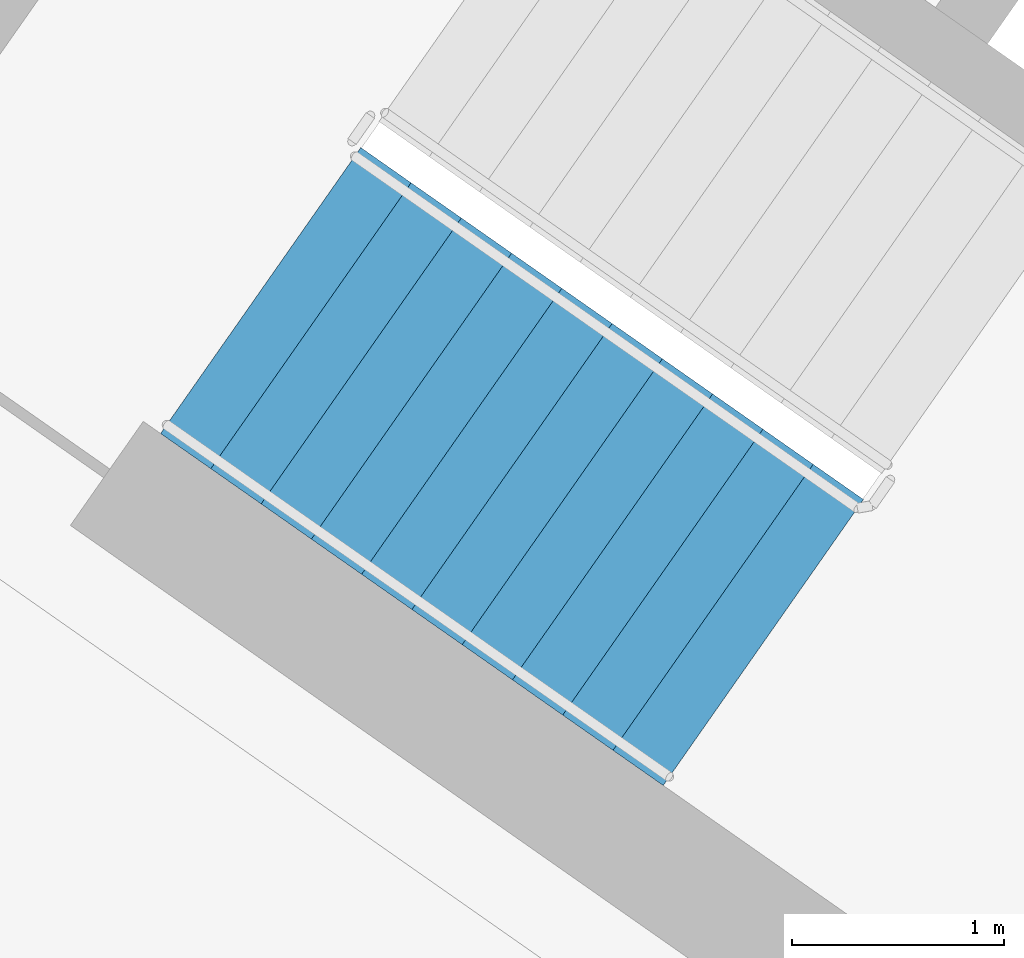
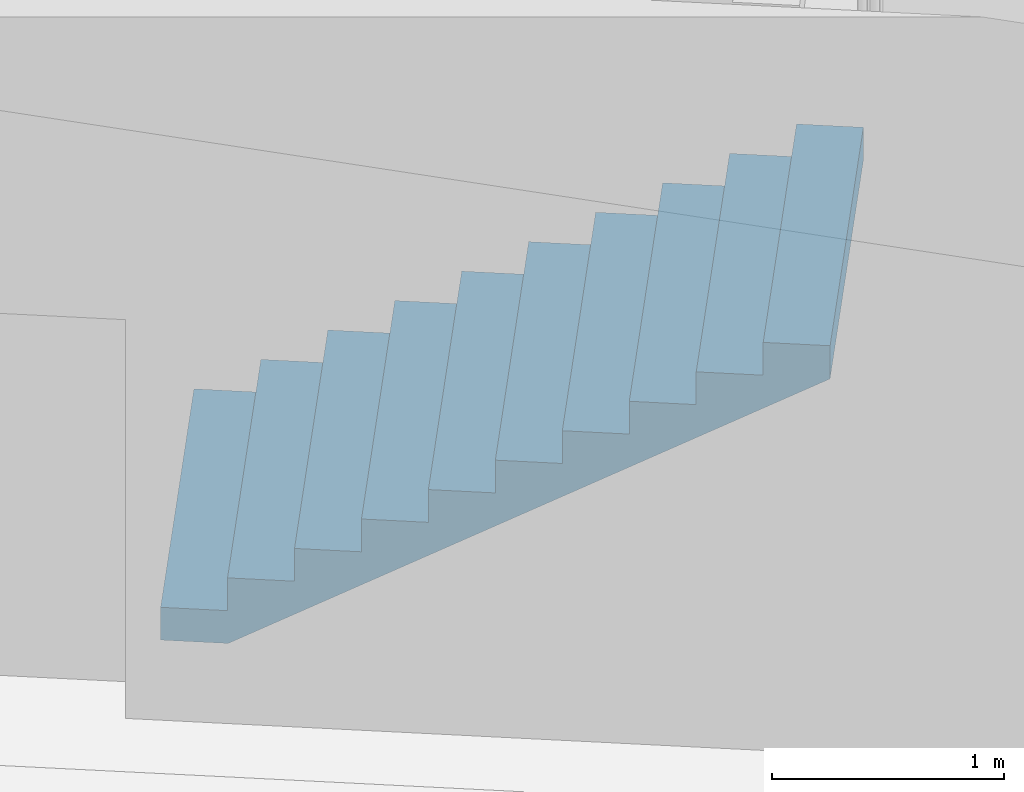
# One storey, part 10 of 28: 1 stair flight, 1 element without a shape of its own.
"""IFC4 building model written with IfcOpenShell, lengths in metres."""

from ifc_helpers import new_model, si_unit, direction, frame, origin, place, context, subcontext, project, spatial, faceted_brep, material, type_object, element, aggregate, save


model = new_model("IFC4")

# Units and contexts
model_context = context("Model", 3, precision=1e-05, world=origin(), true_north=direction((0.0, 1.0)))
body_context = subcontext(model_context, "Body", "Model", "MODEL_VIEW")
ifc_project = project(units=[si_unit("LENGTHUNIT", "METRE"), si_unit("AREAUNIT", "SQUARE_METRE"), si_unit("VOLUMEUNIT", "CUBIC_METRE"), si_unit("PLANEANGLEUNIT", "RADIAN"), si_unit("MASSUNIT", "GRAM", prefix="KILO")], contexts=[model_context])

# Site, building, storey
site_placement = place(None, origin())
site = spatial("IfcSite", under=ifc_project, at=site_placement, CompositionType="ELEMENT")
building_placement = place(site_placement, origin())
building = spatial("IfcBuilding", under=site, at=building_placement, Name="Qamariyya Broadcast Tower", CompositionType="ELEMENT")
storey_placement = place(building_placement, frame((0.0, 0.0, 218.89990234375)))
storey = spatial("IfcBuildingStorey", under=building, at=storey_placement, Name="L52", CompositionType="ELEMENT", Elevation=218.89990234375)

# Stair, stair flight
ifc_material = material(Name="Concrete C50/60", Category="concrete")
stair_type = type_object("IfcStairType", Name="Exit stair 22 risers of 173 mm", PredefinedType="HALF_TURN_STAIR", material=ifc_material)
stair_placement = place(storey_placement, origin())
stair = element("IfcStair", 1, at=stair_placement, inside=storey, type_object=stair_type, Name="L52 Stair W1", PredefinedType="HALF_TURN_STAIR")
stair_flight_type = type_object("IfcStairFlightType", Name="Exit stair flight 11 risers of 173 mm", PredefinedType="STRAIGHT", material=ifc_material)
stair_flight_placement = place(storey_placement, frame((-47.06884765625, -56.982666015625, 0.0), z_axis=(0.0, 0.0, 1.0), x_axis=(0.819152044289, -0.573576436351, 0.0)))
stair_flight = element("IfcStairFlight", 2, at=stair_flight_placement, type_object=stair_flight_type, Name="ST-W1 flight 1", NumberOfRisers=11, NumberOfTreads=10, PredefinedType="STRAIGHT", RiserHeight=0.172727273, TreadLength=0.29, context=body_context, shape_type="Brep", body=[
    faceted_brep([(0.0, 0.824951171875, 0.0), (0.0, 0.824951171875, 0.172607421875), (0.2900390625, 0.824951171875, 0.172607421875), (0.2900390625, 0.824951171875, 0.345458984375), (0.580078125, 0.824951171875, 0.345458984375), (0.580078125, 0.824951171875, 0.51806640625), (0.8701171875, 0.824951171875, 0.51806640625), (0.8701171875, 0.824951171875, 0.69091796875), (1.159912109375, 0.824951171875, 0.69091796875), (1.159912109375, 0.824951171875, 0.863525390625), (1.449951171875, 0.824951171875, 0.863525390625), (1.449951171875, 0.824951171875, 1.036376953125), (1.739990234375, 0.824951171875, 1.036376953125), (1.739990234375, 0.824951171875, 1.208984375), (2.030029296875, 0.824951171875, 1.208984375), (2.030029296875, 0.824951171875, 1.3818359375), (2.320068359375, 0.824951171875, 1.3818359375), (2.320068359375, 0.824951171875, 1.554443359375), (2.610107421875, 0.824951171875, 1.554443359375), (2.610107421875, 0.824951171875, 1.727294921875), (2.89990234375, 0.824951171875, 1.727294921875), (2.89990234375, 0.824951171875, 1.552734375), (0.29296875, 0.824951171875, 0.0), (0.29296875, -0.824951171875, 0.0), (2.89990234375, -0.824951171875, 1.552734375), (2.89990234375, -0.824951171875, 1.727294921875), (2.610107421875, -0.824951171875, 1.727294921875), (2.610107421875, -0.824951171875, 1.554443359375), (2.320068359375, -0.824951171875, 1.554443359375), (2.320068359375, -0.824951171875, 1.3818359375), (2.030029296875, -0.824951171875, 1.3818359375), (2.030029296875, -0.824951171875, 1.208984375), (1.739990234375, -0.824951171875, 1.208984375), (1.739990234375, -0.824951171875, 1.036376953125), (1.449951171875, -0.824951171875, 1.036376953125), (1.449951171875, -0.824951171875, 0.863525390625), (1.159912109375, -0.824951171875, 0.863525390625), (1.159912109375, -0.824951171875, 0.69091796875), (0.8701171875, -0.824951171875, 0.69091796875), (0.8701171875, -0.824951171875, 0.51806640625), (0.580078125, -0.824951171875, 0.51806640625), (0.580078125, -0.824951171875, 0.345458984375), (0.2900390625, -0.824951171875, 0.345458984375), (0.2900390625, -0.824951171875, 0.172607421875), (0.0, -0.824951171875, 0.172607421875), (0.0, -0.824951171875, 0.0), (0.0, 0.10009765625, 0.0), (0.0, 0.086669921875, 0.0), (0.0, 0.0732421875, 0.0), (0.0, 0.06005859375, 0.0), (0.0, 0.046630859375, 0.0), (0.0, 0.033447265625, 0.0), (0.0, 0.02001953125, 0.0), (0.0, 0.006591796875, 0.0), (0.0, -0.006591796875, 0.0), (0.0, -0.02001953125, 0.0), (0.0, -0.033447265625, 0.0), (0.0, -0.046630859375, 0.0), (0.0, -0.06005859375, 0.0), (0.0, -0.0732421875, 0.0), (0.0, -0.086669921875, 0.0), (0.0, -0.10009765625, 0.0), (0.0, -0.10009765625, 0.172607421875), (0.0, -0.086669921875, 0.172607421875), (0.0, -0.0732421875, 0.172607421875), (0.0, -0.06005859375, 0.172607421875), (0.0, -0.046630859375, 0.172607421875), (0.0, -0.033447265625, 0.172607421875), (0.0, -0.02001953125, 0.172607421875), (0.0, -0.006591796875, 0.172607421875), (0.0, 0.006591796875, 0.172607421875), (0.0, 0.02001953125, 0.172607421875), (0.0, 0.033447265625, 0.172607421875), (0.0, 0.046630859375, 0.172607421875), (0.0, 0.06005859375, 0.172607421875), (0.0, 0.0732421875, 0.172607421875), (0.0, 0.086669921875, 0.172607421875), (0.0, 0.10009765625, 0.172607421875), (0.2900390625, -0.10009765625, 0.172607421875), (0.2900390625, -0.086669921875, 0.172607421875), (0.2900390625, -0.0732421875, 0.172607421875), (0.2900390625, -0.06005859375, 0.172607421875), (0.2900390625, -0.046630859375, 0.172607421875), (0.2900390625, -0.033447265625, 0.172607421875), (0.2900390625, -0.02001953125, 0.172607421875), (0.2900390625, -0.006591796875, 0.172607421875), (0.2900390625, 0.006591796875, 0.172607421875), (0.2900390625, 0.02001953125, 0.172607421875), (0.2900390625, 0.033447265625, 0.172607421875), (0.2900390625, 0.046630859375, 0.172607421875), (0.2900390625, 0.06005859375, 0.172607421875), (0.2900390625, 0.0732421875, 0.172607421875), (0.2900390625, 0.086669921875, 0.172607421875), (0.2900390625, 0.10009765625, 0.172607421875), (0.2900390625, -0.10009765625, 0.345458984375), (0.2900390625, -0.086669921875, 0.345458984375), (0.2900390625, -0.0732421875, 0.345458984375), (0.2900390625, -0.06005859375, 0.345458984375), (0.2900390625, -0.046630859375, 0.345458984375), (0.2900390625, -0.033447265625, 0.345458984375), (0.2900390625, -0.02001953125, 0.345458984375), (0.2900390625, -0.006591796875, 0.345458984375), (0.2900390625, 0.006591796875, 0.345458984375), (0.2900390625, 0.02001953125, 0.345458984375), (0.2900390625, 0.033447265625, 0.345458984375), (0.2900390625, 0.046630859375, 0.345458984375), (0.2900390625, 0.06005859375, 0.345458984375), (0.2900390625, 0.0732421875, 0.345458984375), (0.2900390625, 0.086669921875, 0.345458984375), (0.2900390625, 0.10009765625, 0.345458984375), (0.580078125, -0.10009765625, 0.345458984375), (0.580078125, -0.086669921875, 0.345458984375), (0.580078125, -0.0732421875, 0.345458984375), (0.580078125, -0.06005859375, 0.345458984375), (0.580078125, -0.046630859375, 0.345458984375), (0.580078125, -0.033447265625, 0.345458984375), (0.580078125, -0.02001953125, 0.345458984375), (0.580078125, -0.006591796875, 0.345458984375), (0.580078125, 0.006591796875, 0.345458984375), (0.580078125, 0.02001953125, 0.345458984375), (0.580078125, 0.033447265625, 0.345458984375), (0.580078125, 0.046630859375, 0.345458984375), (0.580078125, 0.06005859375, 0.345458984375), (0.580078125, 0.0732421875, 0.345458984375), (0.580078125, 0.086669921875, 0.345458984375), (0.580078125, 0.10009765625, 0.345458984375), (0.580078125, -0.10009765625, 0.51806640625), (0.580078125, -0.086669921875, 0.51806640625), (0.580078125, -0.0732421875, 0.51806640625), (0.580078125, -0.06005859375, 0.51806640625), (0.580078125, -0.046630859375, 0.51806640625), (0.580078125, -0.033447265625, 0.51806640625), (0.580078125, -0.02001953125, 0.51806640625), (0.580078125, -0.006591796875, 0.51806640625), (0.580078125, 0.006591796875, 0.51806640625), (0.580078125, 0.02001953125, 0.51806640625), (0.580078125, 0.033447265625, 0.51806640625), (0.580078125, 0.046630859375, 0.51806640625), (0.580078125, 0.06005859375, 0.51806640625), (0.580078125, 0.0732421875, 0.51806640625), (0.580078125, 0.086669921875, 0.51806640625), (0.580078125, 0.10009765625, 0.51806640625), (0.8701171875, -0.10009765625, 0.51806640625), (0.8701171875, -0.086669921875, 0.51806640625), (0.8701171875, -0.0732421875, 0.51806640625), (0.8701171875, -0.06005859375, 0.51806640625), (0.8701171875, -0.046630859375, 0.51806640625), (0.8701171875, -0.033447265625, 0.51806640625), (0.8701171875, -0.02001953125, 0.51806640625), (0.8701171875, -0.006591796875, 0.51806640625), (0.8701171875, 0.006591796875, 0.51806640625), (0.8701171875, 0.02001953125, 0.51806640625), (0.8701171875, 0.033447265625, 0.51806640625), (0.8701171875, 0.046630859375, 0.51806640625), (0.8701171875, 0.06005859375, 0.51806640625), (0.8701171875, 0.0732421875, 0.51806640625), (0.8701171875, 0.086669921875, 0.51806640625), (0.8701171875, 0.10009765625, 0.51806640625), (0.8701171875, -0.10009765625, 0.69091796875), (0.8701171875, -0.086669921875, 0.69091796875), (0.8701171875, -0.0732421875, 0.69091796875), (0.8701171875, -0.06005859375, 0.69091796875), (0.8701171875, -0.046630859375, 0.69091796875), (0.8701171875, -0.033447265625, 0.69091796875), (0.8701171875, -0.02001953125, 0.69091796875), (0.8701171875, -0.006591796875, 0.69091796875), (0.8701171875, 0.006591796875, 0.69091796875), (0.8701171875, 0.02001953125, 0.69091796875), (0.8701171875, 0.033447265625, 0.69091796875), (0.8701171875, 0.046630859375, 0.69091796875), (0.8701171875, 0.06005859375, 0.69091796875), (0.8701171875, 0.0732421875, 0.69091796875), (0.8701171875, 0.086669921875, 0.69091796875), (0.8701171875, 0.10009765625, 0.69091796875), (1.159912109375, -0.10009765625, 0.69091796875), (1.159912109375, -0.086669921875, 0.69091796875), (1.159912109375, -0.0732421875, 0.69091796875), (1.159912109375, -0.06005859375, 0.69091796875), (1.159912109375, -0.046630859375, 0.69091796875), (1.159912109375, -0.033447265625, 0.69091796875), (1.159912109375, -0.02001953125, 0.69091796875), (1.159912109375, -0.006591796875, 0.69091796875), (1.159912109375, 0.006591796875, 0.69091796875), (1.159912109375, 0.02001953125, 0.69091796875), (1.159912109375, 0.033447265625, 0.69091796875), (1.159912109375, 0.046630859375, 0.69091796875), (1.159912109375, 0.06005859375, 0.69091796875), (1.159912109375, 0.0732421875, 0.69091796875), (1.159912109375, 0.086669921875, 0.69091796875), (1.159912109375, 0.10009765625, 0.69091796875), (1.159912109375, -0.10009765625, 0.863525390625), (1.159912109375, -0.086669921875, 0.863525390625), (1.159912109375, -0.0732421875, 0.863525390625), (1.159912109375, -0.06005859375, 0.863525390625), (1.159912109375, -0.046630859375, 0.863525390625), (1.159912109375, -0.033447265625, 0.863525390625), (1.159912109375, -0.02001953125, 0.863525390625), (1.159912109375, -0.006591796875, 0.863525390625), (1.159912109375, 0.006591796875, 0.863525390625), (1.159912109375, 0.02001953125, 0.863525390625), (1.159912109375, 0.033447265625, 0.863525390625), (1.159912109375, 0.046630859375, 0.863525390625), (1.159912109375, 0.06005859375, 0.863525390625), (1.159912109375, 0.0732421875, 0.863525390625), (1.159912109375, 0.086669921875, 0.863525390625), (1.159912109375, 0.10009765625, 0.863525390625), (1.449951171875, -0.10009765625, 0.863525390625), (1.449951171875, -0.086669921875, 0.863525390625), (1.449951171875, -0.0732421875, 0.863525390625), (1.449951171875, -0.06005859375, 0.863525390625), (1.449951171875, -0.046630859375, 0.863525390625), (1.449951171875, -0.033447265625, 0.863525390625), (1.449951171875, -0.02001953125, 0.863525390625), (1.449951171875, -0.006591796875, 0.863525390625), (1.449951171875, 0.006591796875, 0.863525390625), (1.449951171875, 0.02001953125, 0.863525390625), (1.449951171875, 0.033447265625, 0.863525390625), (1.449951171875, 0.046630859375, 0.863525390625), (1.449951171875, 0.06005859375, 0.863525390625), (1.449951171875, 0.0732421875, 0.863525390625), (1.449951171875, 0.086669921875, 0.863525390625), (1.449951171875, 0.10009765625, 0.863525390625), (1.449951171875, -0.10009765625, 1.036376953125), (1.449951171875, -0.086669921875, 1.036376953125), (1.449951171875, -0.0732421875, 1.036376953125), (1.449951171875, -0.06005859375, 1.036376953125), (1.449951171875, -0.046630859375, 1.036376953125), (1.449951171875, -0.033447265625, 1.036376953125), (1.449951171875, -0.02001953125, 1.036376953125), (1.449951171875, -0.006591796875, 1.036376953125), (1.449951171875, 0.006591796875, 1.036376953125), (1.449951171875, 0.02001953125, 1.036376953125), (1.449951171875, 0.033447265625, 1.036376953125), (1.449951171875, 0.046630859375, 1.036376953125), (1.449951171875, 0.06005859375, 1.036376953125), (1.449951171875, 0.0732421875, 1.036376953125), (1.449951171875, 0.086669921875, 1.036376953125), (1.449951171875, 0.10009765625, 1.036376953125), (1.739990234375, -0.10009765625, 1.036376953125), (1.739990234375, -0.086669921875, 1.036376953125), (1.739990234375, -0.0732421875, 1.036376953125), (1.739990234375, -0.06005859375, 1.036376953125), (1.739990234375, -0.046630859375, 1.036376953125), (1.739990234375, -0.033447265625, 1.036376953125), (1.739990234375, -0.02001953125, 1.036376953125), (1.739990234375, -0.006591796875, 1.036376953125), (1.739990234375, 0.006591796875, 1.036376953125), (1.739990234375, 0.02001953125, 1.036376953125), (1.739990234375, 0.033447265625, 1.036376953125), (1.739990234375, 0.046630859375, 1.036376953125), (1.739990234375, 0.06005859375, 1.036376953125), (1.739990234375, 0.0732421875, 1.036376953125), (1.739990234375, 0.086669921875, 1.036376953125), (1.739990234375, 0.10009765625, 1.036376953125), (1.739990234375, -0.10009765625, 1.208984375), (1.739990234375, -0.086669921875, 1.208984375), (1.739990234375, -0.0732421875, 1.208984375), (1.739990234375, -0.06005859375, 1.208984375), (1.739990234375, -0.046630859375, 1.208984375), (1.739990234375, -0.033447265625, 1.208984375), (1.739990234375, -0.02001953125, 1.208984375), (1.739990234375, -0.006591796875, 1.208984375), (1.739990234375, 0.006591796875, 1.208984375), (1.739990234375, 0.02001953125, 1.208984375), (1.739990234375, 0.033447265625, 1.208984375), (1.739990234375, 0.046630859375, 1.208984375), (1.739990234375, 0.06005859375, 1.208984375), (1.739990234375, 0.0732421875, 1.208984375), (1.739990234375, 0.086669921875, 1.208984375), (1.739990234375, 0.10009765625, 1.208984375), (2.030029296875, -0.10009765625, 1.208984375), (2.030029296875, -0.086669921875, 1.208984375), (2.030029296875, -0.0732421875, 1.208984375), (2.030029296875, -0.06005859375, 1.208984375), (2.030029296875, -0.046630859375, 1.208984375), (2.030029296875, -0.033447265625, 1.208984375), (2.030029296875, -0.02001953125, 1.208984375), (2.030029296875, -0.006591796875, 1.208984375), (2.030029296875, 0.006591796875, 1.208984375), (2.030029296875, 0.02001953125, 1.208984375), (2.030029296875, 0.033447265625, 1.208984375), (2.030029296875, 0.046630859375, 1.208984375), (2.030029296875, 0.06005859375, 1.208984375), (2.030029296875, 0.0732421875, 1.208984375), (2.030029296875, 0.086669921875, 1.208984375), (2.030029296875, 0.10009765625, 1.208984375), (2.030029296875, -0.10009765625, 1.3818359375), (2.030029296875, -0.086669921875, 1.3818359375), (2.030029296875, -0.0732421875, 1.3818359375), (2.030029296875, -0.06005859375, 1.3818359375), (2.030029296875, -0.046630859375, 1.3818359375), (2.030029296875, -0.033447265625, 1.3818359375), (2.030029296875, -0.02001953125, 1.3818359375), (2.030029296875, -0.006591796875, 1.3818359375), (2.030029296875, 0.006591796875, 1.3818359375), (2.030029296875, 0.02001953125, 1.3818359375), (2.030029296875, 0.033447265625, 1.3818359375), (2.030029296875, 0.046630859375, 1.3818359375), (2.030029296875, 0.06005859375, 1.3818359375), (2.030029296875, 0.0732421875, 1.3818359375), (2.030029296875, 0.086669921875, 1.3818359375), (2.030029296875, 0.10009765625, 1.3818359375), (2.320068359375, -0.10009765625, 1.3818359375), (2.320068359375, -0.086669921875, 1.3818359375), (2.320068359375, -0.0732421875, 1.3818359375), (2.320068359375, -0.06005859375, 1.3818359375), (2.320068359375, -0.046630859375, 1.3818359375), (2.320068359375, -0.033447265625, 1.3818359375), (2.320068359375, -0.02001953125, 1.3818359375), (2.320068359375, -0.006591796875, 1.3818359375), (2.320068359375, 0.006591796875, 1.3818359375), (2.320068359375, 0.02001953125, 1.3818359375), (2.320068359375, 0.033447265625, 1.3818359375), (2.320068359375, 0.046630859375, 1.3818359375), (2.320068359375, 0.06005859375, 1.3818359375), (2.320068359375, 0.0732421875, 1.3818359375), (2.320068359375, 0.086669921875, 1.3818359375), (2.320068359375, 0.10009765625, 1.3818359375), (2.320068359375, -0.10009765625, 1.554443359375), (2.320068359375, -0.086669921875, 1.554443359375), (2.320068359375, -0.0732421875, 1.554443359375), (2.320068359375, -0.06005859375, 1.554443359375), (2.320068359375, -0.046630859375, 1.554443359375), (2.320068359375, -0.033447265625, 1.554443359375), (2.320068359375, -0.02001953125, 1.554443359375), (2.320068359375, -0.006591796875, 1.554443359375), (2.320068359375, 0.006591796875, 1.554443359375), (2.320068359375, 0.02001953125, 1.554443359375), (2.320068359375, 0.033447265625, 1.554443359375), (2.320068359375, 0.046630859375, 1.554443359375), (2.320068359375, 0.06005859375, 1.554443359375), (2.320068359375, 0.0732421875, 1.554443359375), (2.320068359375, 0.086669921875, 1.554443359375), (2.320068359375, 0.10009765625, 1.554443359375), (2.610107421875, -0.10009765625, 1.554443359375), (2.610107421875, -0.086669921875, 1.554443359375), (2.610107421875, -0.0732421875, 1.554443359375), (2.610107421875, -0.06005859375, 1.554443359375), (2.610107421875, -0.046630859375, 1.554443359375), (2.610107421875, -0.033447265625, 1.554443359375), (2.610107421875, -0.02001953125, 1.554443359375), (2.610107421875, -0.006591796875, 1.554443359375), (2.610107421875, 0.006591796875, 1.554443359375), (2.610107421875, 0.02001953125, 1.554443359375), (2.610107421875, 0.033447265625, 1.554443359375), (2.610107421875, 0.046630859375, 1.554443359375), (2.610107421875, 0.06005859375, 1.554443359375), (2.610107421875, 0.0732421875, 1.554443359375), (2.610107421875, 0.086669921875, 1.554443359375), (2.610107421875, 0.10009765625, 1.554443359375), (2.610107421875, -0.10009765625, 1.727294921875), (2.610107421875, -0.086669921875, 1.727294921875), (2.610107421875, -0.0732421875, 1.727294921875), (2.610107421875, -0.06005859375, 1.727294921875), (2.610107421875, -0.046630859375, 1.727294921875), (2.610107421875, -0.033447265625, 1.727294921875), (2.610107421875, -0.02001953125, 1.727294921875), (2.610107421875, -0.006591796875, 1.727294921875), (2.610107421875, 0.006591796875, 1.727294921875), (2.610107421875, 0.02001953125, 1.727294921875), (2.610107421875, 0.033447265625, 1.727294921875), (2.610107421875, 0.046630859375, 1.727294921875), (2.610107421875, 0.06005859375, 1.727294921875), (2.610107421875, 0.0732421875, 1.727294921875), (2.610107421875, 0.086669921875, 1.727294921875), (2.610107421875, 0.10009765625, 1.727294921875), (2.89990234375, -0.10009765625, 1.727294921875), (2.89990234375, -0.086669921875, 1.727294921875), (2.89990234375, -0.0732421875, 1.727294921875), (2.89990234375, -0.06005859375, 1.727294921875), (2.89990234375, -0.046630859375, 1.727294921875), (2.89990234375, -0.033447265625, 1.727294921875), (2.89990234375, -0.02001953125, 1.727294921875), (2.89990234375, -0.006591796875, 1.727294921875), (2.89990234375, 0.006591796875, 1.727294921875), (2.89990234375, 0.02001953125, 1.727294921875), (2.89990234375, 0.033447265625, 1.727294921875), (2.89990234375, 0.046630859375, 1.727294921875), (2.89990234375, 0.06005859375, 1.727294921875), (2.89990234375, 0.0732421875, 1.727294921875), (2.89990234375, 0.086669921875, 1.727294921875), (2.89990234375, 0.10009765625, 1.727294921875), (2.89990234375, -0.10009765625, 1.552734375), (2.89990234375, -0.086669921875, 1.552734375), (2.89990234375, -0.0732421875, 1.552734375), (2.89990234375, -0.06005859375, 1.552734375), (2.89990234375, -0.046630859375, 1.552734375), (2.89990234375, -0.033447265625, 1.552734375), (2.89990234375, -0.02001953125, 1.552734375), (2.89990234375, -0.006591796875, 1.552734375), (2.89990234375, 0.006591796875, 1.552734375), (2.89990234375, 0.02001953125, 1.552734375), (2.89990234375, 0.033447265625, 1.552734375), (2.89990234375, 0.046630859375, 1.552734375), (2.89990234375, 0.06005859375, 1.552734375), (2.89990234375, 0.0732421875, 1.552734375), (2.89990234375, 0.086669921875, 1.552734375), (2.89990234375, 0.10009765625, 1.552734375), (0.29296875, -0.10009765625, 0.0), (0.29296875, -0.086669921875, 0.0), (0.29296875, -0.0732421875, 0.0), (0.29296875, -0.06005859375, 0.0), (0.29296875, -0.046630859375, 0.0), (0.29296875, -0.033447265625, 0.0), (0.29296875, -0.02001953125, 0.0), (0.29296875, -0.006591796875, 0.0), (0.29296875, 0.006591796875, 0.0), (0.29296875, 0.02001953125, 0.0), (0.29296875, 0.033447265625, 0.0), (0.29296875, 0.046630859375, 0.0), (0.29296875, 0.06005859375, 0.0), (0.29296875, 0.0732421875, 0.0), (0.29296875, 0.086669921875, 0.0), (0.29296875, 0.10009765625, 0.0)], [[[0, 1, 2, 3, 4, 5, 6, 7, 8, 9, 10, 11, 12, 13, 14, 15, 16, 17, 18, 19, 20, 21, 22]], [[23, 24, 25, 26, 27, 28, 29, 30, 31, 32, 33, 34, 35, 36, 37, 38, 39, 40, 41, 42, 43, 44, 45]], [[0, 46, 47, 48, 49, 50, 51, 52, 53, 54, 55, 56, 57, 58, 59, 60, 61, 45, 44, 62, 63, 64, 65, 66, 67, 68, 69, 70, 71, 72, 73, 74, 75, 76, 77, 1]], [[1, 77, 76, 75, 74, 73, 72, 71, 70, 69, 68, 67, 66, 65, 64, 63, 62, 44, 43, 78, 79, 80, 81, 82, 83, 84, 85, 86, 87, 88, 89, 90, 91, 92, 93, 2]], [[2, 93, 92, 91, 90, 89, 88, 87, 86, 85, 84, 83, 82, 81, 80, 79, 78, 43, 42, 94, 95, 96, 97, 98, 99, 100, 101, 102, 103, 104, 105, 106, 107, 108, 109, 3]], [[3, 109, 108, 107, 106, 105, 104, 103, 102, 101, 100, 99, 98, 97, 96, 95, 94, 42, 41, 110, 111, 112, 113, 114, 115, 116, 117, 118, 119, 120, 121, 122, 123, 124, 125, 4]], [[4, 125, 124, 123, 122, 121, 120, 119, 118, 117, 116, 115, 114, 113, 112, 111, 110, 41, 40, 126, 127, 128, 129, 130, 131, 132, 133, 134, 135, 136, 137, 138, 139, 140, 141, 5]], [[5, 141, 140, 139, 138, 137, 136, 135, 134, 133, 132, 131, 130, 129, 128, 127, 126, 40, 39, 142, 143, 144, 145, 146, 147, 148, 149, 150, 151, 152, 153, 154, 155, 156, 157, 6]], [[6, 157, 156, 155, 154, 153, 152, 151, 150, 149, 148, 147, 146, 145, 144, 143, 142, 39, 38, 158, 159, 160, 161, 162, 163, 164, 165, 166, 167, 168, 169, 170, 171, 172, 173, 7]], [[7, 173, 172, 171, 170, 169, 168, 167, 166, 165, 164, 163, 162, 161, 160, 159, 158, 38, 37, 174, 175, 176, 177, 178, 179, 180, 181, 182, 183, 184, 185, 186, 187, 188, 189, 8]], [[8, 189, 188, 187, 186, 185, 184, 183, 182, 181, 180, 179, 178, 177, 176, 175, 174, 37, 36, 190, 191, 192, 193, 194, 195, 196, 197, 198, 199, 200, 201, 202, 203, 204, 205, 9]], [[9, 205, 204, 203, 202, 201, 200, 199, 198, 197, 196, 195, 194, 193, 192, 191, 190, 36, 35, 206, 207, 208, 209, 210, 211, 212, 213, 214, 215, 216, 217, 218, 219, 220, 221, 10]], [[10, 221, 220, 219, 218, 217, 216, 215, 214, 213, 212, 211, 210, 209, 208, 207, 206, 35, 34, 222, 223, 224, 225, 226, 227, 228, 229, 230, 231, 232, 233, 234, 235, 236, 237, 11]], [[11, 237, 236, 235, 234, 233, 232, 231, 230, 229, 228, 227, 226, 225, 224, 223, 222, 34, 33, 238, 239, 240, 241, 242, 243, 244, 245, 246, 247, 248, 249, 250, 251, 252, 253, 12]], [[12, 253, 252, 251, 250, 249, 248, 247, 246, 245, 244, 243, 242, 241, 240, 239, 238, 33, 32, 254, 255, 256, 257, 258, 259, 260, 261, 262, 263, 264, 265, 266, 267, 268, 269, 13]], [[13, 269, 268, 267, 266, 265, 264, 263, 262, 261, 260, 259, 258, 257, 256, 255, 254, 32, 31, 270, 271, 272, 273, 274, 275, 276, 277, 278, 279, 280, 281, 282, 283, 284, 285, 14]], [[14, 285, 284, 283, 282, 281, 280, 279, 278, 277, 276, 275, 274, 273, 272, 271, 270, 31, 30, 286, 287, 288, 289, 290, 291, 292, 293, 294, 295, 296, 297, 298, 299, 300, 301, 15]], [[15, 301, 300, 299, 298, 297, 296, 295, 294, 293, 292, 291, 290, 289, 288, 287, 286, 30, 29, 302, 303, 304, 305, 306, 307, 308, 309, 310, 311, 312, 313, 314, 315, 316, 317, 16]], [[16, 317, 316, 315, 314, 313, 312, 311, 310, 309, 308, 307, 306, 305, 304, 303, 302, 29, 28, 318, 319, 320, 321, 322, 323, 324, 325, 326, 327, 328, 329, 330, 331, 332, 333, 17]], [[17, 333, 332, 331, 330, 329, 328, 327, 326, 325, 324, 323, 322, 321, 320, 319, 318, 28, 27, 334, 335, 336, 337, 338, 339, 340, 341, 342, 343, 344, 345, 346, 347, 348, 349, 18]], [[18, 349, 348, 347, 346, 345, 344, 343, 342, 341, 340, 339, 338, 337, 336, 335, 334, 27, 26, 350, 351, 352, 353, 354, 355, 356, 357, 358, 359, 360, 361, 362, 363, 364, 365, 19]], [[19, 365, 364, 363, 362, 361, 360, 359, 358, 357, 356, 355, 354, 353, 352, 351, 350, 26, 25, 366, 367, 368, 369, 370, 371, 372, 373, 374, 375, 376, 377, 378, 379, 380, 381, 20]], [[20, 381, 380, 379, 378, 377, 376, 375, 374, 373, 372, 371, 370, 369, 368, 367, 366, 25, 24, 382, 383, 384, 385, 386, 387, 388, 389, 390, 391, 392, 393, 394, 395, 396, 397, 21]], [[21, 397, 396, 395, 394, 393, 392, 391, 390, 389, 388, 387, 386, 385, 384, 383, 382, 24, 23, 398, 399, 400, 401, 402, 403, 404, 405, 406, 407, 408, 409, 410, 411, 412, 413, 22]], [[22, 413, 412, 411, 410, 409, 408, 407, 406, 405, 404, 403, 402, 401, 400, 399, 398, 23, 45, 61, 60, 59, 58, 57, 56, 55, 54, 53, 52, 51, 50, 49, 48, 47, 46, 0]]]),
])
aggregate(stair, [stair_flight])

save(model, "model.ifc")
